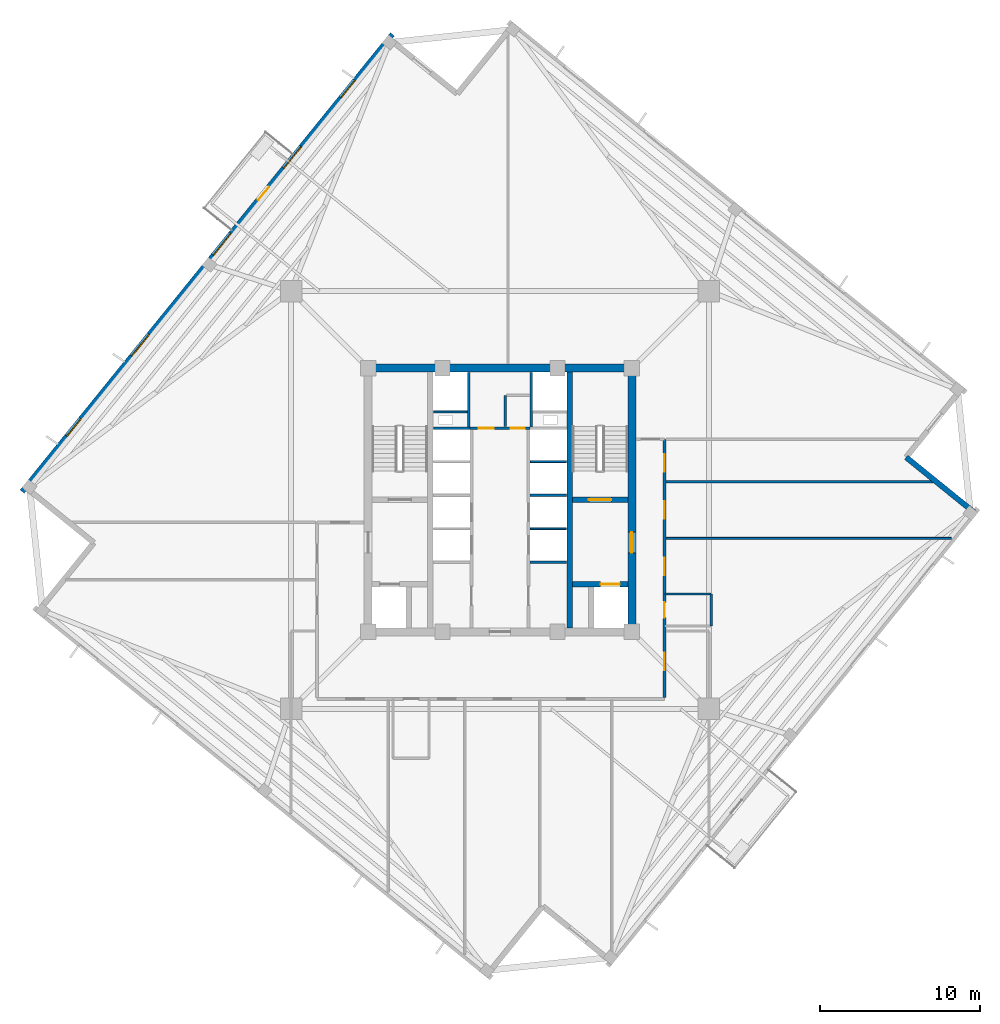
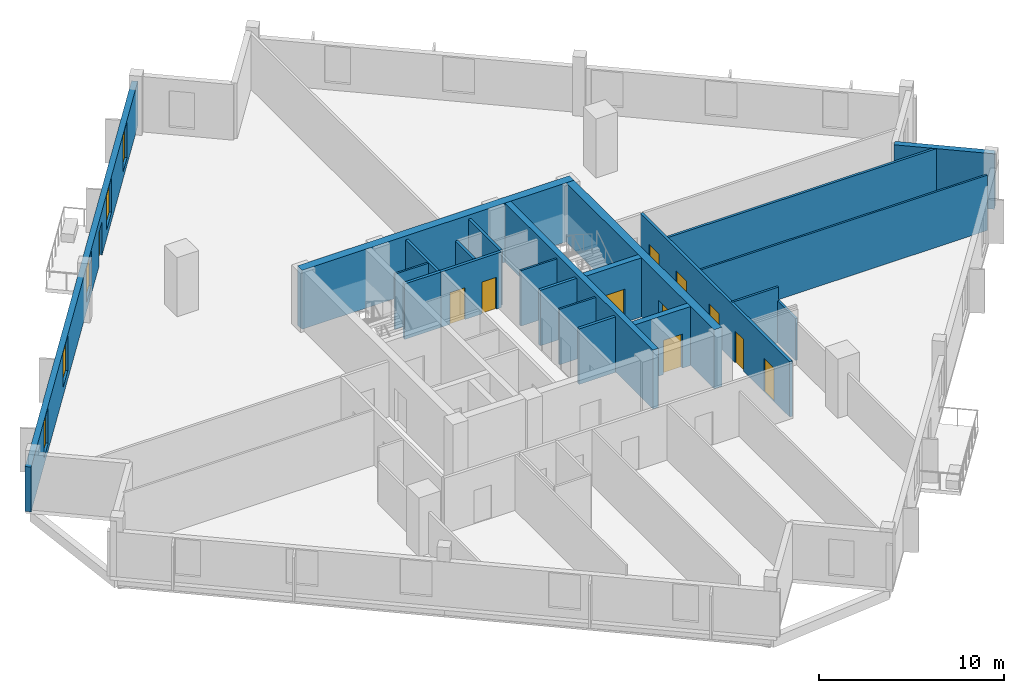
# One storey, part 4 of 9: 22 walls, 11 doors, 5 windows, 16 openings.
"""IFC4 building model written with IfcOpenShell, lengths in metres."""

from ifc_helpers import new_model, si_unit, direction, frame, frame_2d, origin, place, context, subcontext, project, spatial, rectangle, extrude, source, transform, mapped, material, layer, layer_set, type_object, element, fill, save


model = new_model("IFC4")

# Units and contexts
model_context = context("Model", 3, precision=1e-05, world=origin(), true_north=direction((0.0, 1.0)))
body_context = subcontext(model_context, "Body", "Model", "MODEL_VIEW")
ifc_project = project(units=[si_unit("LENGTHUNIT", "METRE"), si_unit("AREAUNIT", "SQUARE_METRE"), si_unit("VOLUMEUNIT", "CUBIC_METRE"), si_unit("PLANEANGLEUNIT", "RADIAN"), si_unit("MASSUNIT", "GRAM", prefix="KILO"), si_unit("THERMODYNAMICTEMPERATUREUNIT", "KELVIN")], contexts=[model_context])

# Site, building, storey
site_placement = place(None, origin())
site = spatial("IfcSite", under=ifc_project, at=site_placement, CompositionType="ELEMENT")
building_placement = place(site_placement, origin())
building = spatial("IfcBuilding", under=site, at=building_placement, Name="Kosmvard Interchange Tower", CompositionType="ELEMENT")
storey_placement = place(building_placement, frame((0.0, 0.0, 213.39990234375)))
storey = spatial("IfcBuildingStorey", under=building, at=storey_placement, Name="L51", CompositionType="ELEMENT", Elevation=213.39990234375)

# Walls
ifc_material_1 = material(Name="Acoustic gypsum partition system")
ifc_layer_1 = layer(ifc_material_1, 0.14990234375, Name="Acoustic gypsum partition system")
ifc_layer_set_1 = layer_set([ifc_layer_1], Name="Acoustic gypsum partition system")
wall_type_1 = type_object("IfcWallType", Name="Acoustic Suite & Meeting Partition 150", PredefinedType="PARTITIONING", material=ifc_layer_set_1)
wall_1_placement = place(storey_placement, frame((10.39501953125, 1.14990234375, 0.0), z_axis=(0.0, 0.0, 1.0), x_axis=(1.0, 0.0, 0.0)))
element("IfcWall", 1, at=wall_1_placement, inside=storey, type_object=wall_type_1, Name="L51 Room Partition 03.1", PredefinedType="PARTITIONING", context=body_context, shape_type="SweptSolid", body=[
    extrude(rectangle(XDim=16.747314453125, YDim=0.14990234375, at=frame_2d((8.37353515625, 0.0))), origin(), (0.0, 0.0, 1.0), 3.66015625),
])
ifc_material_2 = material(Name="Fire-rated gypsum partition system")
ifc_layer_2 = layer(ifc_material_2, 0.159912109375, Name="Fire-rated gypsum partition system")
ifc_layer_set_2 = layer_set([ifc_layer_2], Name="Fire-rated gypsum partition system")
wall_type_2 = type_object("IfcWallType", Name="Core Compartment & Shuttle Lobby Partition 160", PredefinedType="PARTITIONING", material=ifc_layer_set_2)
for number, where, z_axis, x_axis, name in (
    (2, (-1.9599609375, 4.580078125, 0.0), (0.0, 0.0, 1.0), (0.0, 1.0, 0.0), "L51 North Core West Wall"),
    (3, (1.9599609375, 4.580078125, 0.0), (0.0, 0.0, 1.0), (0.0, 1.0, 0.0), "L51 North Core East Wall"),
):
    element("IfcWall", number, at=place(storey_placement, frame(where, z_axis=z_axis, x_axis=x_axis)), inside=storey, type_object=wall_type_2, Name=name, PredefinedType="PARTITIONING", context=body_context, shape_type="SweptSolid", body=[
        extrude(rectangle(XDim=3.39990234375, YDim=0.159912109375, at=frame_2d((1.699951171875, 0.0))), origin(), (0.0, 0.0, 1.0), 3.66015625),
    ])
ifc_material_3 = material(Name="Concrete blockwork masonry", Category="masonry")
ifc_layer_3 = layer(ifc_material_3, 0.159912109375, Name="Concrete blockwork masonry")
ifc_layer_set_3 = layer_set([ifc_layer_3], Name="Concrete blockwork masonry")
wall_type_3 = type_object("IfcWallType", Name="Core Enclosure Split Wall 160", PredefinedType="PARTITIONING", material=ifc_layer_set_3)
wall_2_placement = place(storey_placement, frame((0.320068359375, 4.60009765625, 0.0), z_axis=(0.0, 0.0, 1.0), x_axis=(0.0, 1.0, 0.0)))
element("IfcWall", 4, at=wall_2_placement, inside=storey, type_object=wall_type_3, Name="L51 Core K3 L-Wall 1", PredefinedType="PARTITIONING", context=body_context, shape_type="SweptSolid", body=[
    extrude(rectangle(XDim=1.949951171875, YDim=0.159912109375, at=frame_2d((0.97509765625, 0.0))), origin(), (0.0, 0.0, 1.0), 3.66015625),
])

# Wall, openings, doors
ifc_layer_4 = layer(ifc_material_2, 0.179931640625, Name="Fire-rated gypsum partition system")
ifc_layer_set_4 = layer_set([ifc_layer_4], Name="Fire-rated gypsum partition system")
wall_type_4 = type_object("IfcWallType", Name="Corridor & Hotel Compartment Partition 180", PredefinedType="PARTITIONING", material=ifc_layer_set_4)
wall_3_placement = place(storey_placement, frame((-1.8798828125, 4.489990234375, 0.0), z_axis=(0.0, 0.0, 1.0), x_axis=(1.0, 0.0, 0.0)))
wall_3 = element("IfcWall", 5, at=wall_3_placement, inside=storey, type_object=wall_type_4, Name="L51 Lift Lobby North Partition", PredefinedType="PARTITIONING", context=body_context, shape_type="SweptSolid", body=[
    extrude(rectangle(XDim=3.759765625, YDim=0.179931640625, at=frame_2d((1.8798828125, 0.0))), origin(), (0.0, 0.0, 1.0), 3.66015625),
])
opening_1_placement = place(wall_3_placement, frame((0.550048828125, 0.0, 0.0)))
opening_1 = element("IfcOpeningElement", 6, at=opening_1_placement, cuts=wall_3, Name="Opening L51-KD1", PredefinedType="OPENING", context=body_context, shape_type="SweptSolid", body=[
    extrude(rectangle(XDim=0.949951171875, YDim=2.10009765625, at=frame_2d((0.47509765625, 1.050048828125))), frame((0.0, 0.10009765625, 0.0), z_axis=(0.0, -1.0, 0.0), x_axis=(1.0, 0.0, 0.0)), (0.0, 0.0, 1.0), 0.199951171875),
])
opening_2_placement = place(wall_3_placement, frame((2.56005859375, 0.0, 0.0)))
opening_2 = element("IfcOpeningElement", 7, at=opening_2_placement, cuts=wall_3, Name="Opening L51-KD2", PredefinedType="OPENING", context=body_context, shape_type="SweptSolid", body=[
    extrude(rectangle(XDim=0.8798828125, YDim=2.10009765625, at=frame_2d((0.43994140625, 1.050048828125))), frame((0.0, 0.10009765625, 0.0), z_axis=(0.0, -1.0, 0.0), x_axis=(1.0, 0.0, 0.0)), (0.0, 0.0, 1.0), 0.199951171875),
])
ifc_material_4 = material(Name="Painted fire-rated timber leaf", Category="wood")
door_type_1 = type_object("IfcDoorType", Name="Core Service Fire Door 950x2100 EI30", OperationType="NOTDEFINED", PredefinedType="DOOR", material=ifc_material_4)
shared_shape_1 = source(origin(), body_context, "Body", "SweptSolid", [
    extrude(rectangle(XDim=0.949951171875, YDim=2.10009765625, at=frame_2d((0.47509765625, 1.050048828125))), frame((0.0, 0.02490234375, 0.0), z_axis=(0.0, -1.0, 0.0), x_axis=(1.0, 0.0, 0.0)), (0.0, 0.0, 1.0), 0.050048828125),
])
door_1_placement = place(opening_1_placement, origin())
door_1 = element("IfcDoor", 8, at=door_1_placement, inside=storey, type_object=door_type_1, Name="L51 Core Archive Store Door", OperationType="SINGLE_SWING_LEFT", OverallHeight=2.10009765625, OverallWidth=0.949951171875, PredefinedType="DOOR", context=body_context, shape_type="MappedRepresentation", body=[
    mapped(shared_shape_1, transform((0.0, 0.0, 0.0), scale=1.0)),
])
fill(opening_1, door_1)
door_type_2 = type_object("IfcDoorType", Name="Core Cupboard Fire Door 880x2100 EI30", OperationType="NOTDEFINED", PredefinedType="DOOR", material=ifc_material_4)
shared_shape_2 = source(origin(), body_context, "Body", "SweptSolid", [
    extrude(rectangle(XDim=0.8798828125, YDim=2.10009765625, at=frame_2d((0.43994140625, 1.050048828125))), frame((0.0, 0.02490234375, 0.0), z_axis=(0.0, -1.0, 0.0), x_axis=(1.0, 0.0, 0.0)), (0.0, 0.0, 1.0), 0.050048828125),
])
door_2_placement = place(opening_2_placement, origin())
door_2 = element("IfcDoor", 9, at=door_2_placement, inside=storey, type_object=door_type_2, Name="L51 Core Supplies Cupboard Door", OperationType="SINGLE_SWING_RIGHT", OverallHeight=2.10009765625, OverallWidth=0.8798828125, PredefinedType="DOOR", context=body_context, shape_type="MappedRepresentation", body=[
    mapped(shared_shape_2, transform((0.0, 0.0, 0.0), scale=1.0)),
])
fill(opening_2, door_2)

wall_4_placement = place(storey_placement, frame((10.300048828125, -12.35009765625, 0.0), z_axis=(0.0, 0.0, 1.0), x_axis=(0.0, 1.0, 0.0)))
wall_4 = element("IfcWall", 10, at=wall_4_placement, inside=storey, type_object=wall_type_4, Name="L51 Corridor Wall CE", PredefinedType="PARTITIONING", context=body_context, shape_type="SweptSolid", body=[
    extrude(rectangle(XDim=16.150146484375, YDim=0.179931640625, at=frame_2d((8.0751953125, 0.0))), origin(), (0.0, 0.0, 1.0), 3.66015625),
])
opening_3_placement = place(wall_4_placement, frame((4.986083984375, 0.0, 0.0)))
opening_3 = element("IfcOpeningElement", 11, at=opening_3_placement, cuts=wall_4, Name="Opening L51-D01", PredefinedType="OPENING", context=body_context, shape_type="SweptSolid", body=[
    extrude(rectangle(XDim=0.949951171875, YDim=2.10009765625, at=frame_2d((0.47509765625, 1.050048828125))), frame((0.0, 0.10009765625, 0.0), z_axis=(0.0, -1.0, 0.0), x_axis=(1.0, 0.0, 0.0)), (0.0, 0.0, 1.0), 0.199951171875),
])
opening_4_placement = place(wall_4_placement, frame((14.110595703125, 0.0, 0.0)))
opening_4 = element("IfcOpeningElement", 12, at=opening_4_placement, cuts=wall_4, Name="Opening L51-D05", PredefinedType="OPENING", context=body_context, shape_type="SweptSolid", body=[
    extrude(rectangle(XDim=1.10009765625, YDim=2.199951171875, at=frame_2d((0.550048828125, 1.10009765625))), frame((0.0, 0.10009765625, 0.0), z_axis=(0.0, -1.0, 0.0), x_axis=(1.0, 0.0, 0.0)), (0.0, 0.0, 1.0), 0.199951171875),
])
opening_5_placement = place(wall_4_placement, frame((1.689453125, 0.0, 0.0)))
opening_5 = element("IfcOpeningElement", 13, at=opening_5_placement, cuts=wall_4, Name="Opening L51-D12", PredefinedType="OPENING", context=body_context, shape_type="SweptSolid", body=[
    extrude(rectangle(XDim=1.10009765625, YDim=2.199951171875, at=frame_2d((0.550048828125, 1.10009765625))), frame((0.0, 0.10009765625, 0.0), z_axis=(0.0, -1.0, 0.0), x_axis=(1.0, 0.0, 0.0)), (0.0, 0.0, 1.0), 0.199951171875),
])
opening_6_placement = place(wall_4_placement, frame((7.649658203125, 0.0, 0.0)))
opening_6 = element("IfcOpeningElement", 14, at=opening_6_placement, cuts=wall_4, Name="Opening L51-D13", PredefinedType="OPENING", context=body_context, shape_type="SweptSolid", body=[
    extrude(rectangle(XDim=1.10009765625, YDim=2.199951171875, at=frame_2d((0.550048828125, 1.10009765625))), frame((0.0, 0.10009765625, 0.0), z_axis=(0.0, -1.0, 0.0), x_axis=(1.0, 0.0, 0.0)), (0.0, 0.0, 1.0), 0.199951171875),
])
opening_7_placement = place(wall_4_placement, frame((11.175048828125, 0.0, 0.0)))
opening_7 = element("IfcOpeningElement", 15, at=opening_7_placement, cuts=wall_4, Name="Opening L51-D14", PredefinedType="OPENING", context=body_context, shape_type="SweptSolid", body=[
    extrude(rectangle(XDim=1.10009765625, YDim=2.199951171875, at=frame_2d((0.550048828125, 1.10009765625))), frame((0.0, 0.10009765625, 0.0), z_axis=(0.0, -1.0, 0.0), x_axis=(1.0, 0.0, 0.0)), (0.0, 0.0, 1.0), 0.199951171875),
])
ifc_material_5 = material(Name="Laminated moisture-resistant timber", Category="wood")
door_type_3 = type_object("IfcDoorType", Name="Accessible Washroom Door 950x2100", OperationType="NOTDEFINED", PredefinedType="DOOR", material=ifc_material_5)
door_3_placement = place(opening_3_placement, frame((0.949951171875, 0.0, 0.0), z_axis=(0.0, 0.0, 1.0), x_axis=(-1.0, 0.0, 0.0)))
door_3 = element("IfcDoor", 16, at=door_3_placement, inside=storey, type_object=door_type_3, Name="L51 Accessible Toilet Door", OperationType="SINGLE_SWING_LEFT", OverallHeight=2.10009765625, OverallWidth=0.949951171875, PredefinedType="DOOR", context=body_context, shape_type="MappedRepresentation", body=[
    mapped(shared_shape_1, transform((0.0, 0.0, 0.0), scale=1.0)),
])
fill(opening_3, door_3)
ifc_material_6 = material(Name="Engineered oak fire-rated timber", Category="wood")
door_type_4 = type_object("IfcDoorType", Name="Office Suite Entrance Door 1100x2200 FD30S", OperationType="NOTDEFINED", PredefinedType="DOOR", material=ifc_material_6)
shared_shape_3 = source(origin(), body_context, "Body", "SweptSolid", [
    extrude(rectangle(XDim=1.10009765625, YDim=2.199951171875, at=frame_2d((0.550048828125, 1.10009765625))), frame((0.0, 0.02490234375, 0.0), z_axis=(0.0, -1.0, 0.0), x_axis=(1.0, 0.0, 0.0)), (0.0, 0.0, 1.0), 0.050048828125),
])
door_4_placement = place(opening_4_placement, frame((1.10009765625, 0.0, 0.0), z_axis=(0.0, 0.0, 1.0), x_axis=(-1.0, 0.0, 0.0)))
door_4 = element("IfcDoor", 17, at=door_4_placement, inside=storey, type_object=door_type_4, Name="L51 Chancery Briefing Room 1 Door", OperationType="SINGLE_SWING_LEFT", OverallHeight=2.199951171875, OverallWidth=1.10009765625, PredefinedType="DOOR", context=body_context, shape_type="MappedRepresentation", body=[
    mapped(shared_shape_3, transform((0.0, 0.0, 0.0), scale=1.0)),
])
fill(opening_4, door_4)
door_5_placement = place(opening_5_placement, frame((1.10009765625, 0.0, 0.0), z_axis=(0.0, 0.0, 1.0), x_axis=(-1.0, 0.0, 0.0)))
door_5 = element("IfcDoor", 18, at=door_5_placement, inside=storey, type_object=door_type_4, Name="L51 Partner Office 1 Door", OperationType="SINGLE_SWING_RIGHT", OverallHeight=2.199951171875, OverallWidth=1.10009765625, PredefinedType="DOOR", context=body_context, shape_type="MappedRepresentation", body=[
    mapped(shared_shape_3, transform((0.0, 0.0, 0.0), scale=1.0)),
])
fill(opening_5, door_5)
door_6_placement = place(opening_6_placement, frame((1.10009765625, 0.0, 0.0), z_axis=(0.0, 0.0, 1.0), x_axis=(-1.0, 0.0, 0.0)))
door_6 = element("IfcDoor", 19, at=door_6_placement, inside=storey, type_object=door_type_4, Name="L51 Senior Counsel Office 2 Door", OperationType="SINGLE_SWING_LEFT", OverallHeight=2.199951171875, OverallWidth=1.10009765625, PredefinedType="DOOR", context=body_context, shape_type="MappedRepresentation", body=[
    mapped(shared_shape_3, transform((0.0, 0.0, 0.0), scale=1.0)),
])
fill(opening_6, door_6)
door_7_placement = place(opening_7_placement, frame((1.10009765625, 0.0, 0.0), z_axis=(0.0, 0.0, 1.0), x_axis=(-1.0, 0.0, 0.0)))
door_7 = element("IfcDoor", 20, at=door_7_placement, inside=storey, type_object=door_type_4, Name="L51 Managing Partner Office 3 Door", OperationType="SINGLE_SWING_RIGHT", OverallHeight=2.199951171875, OverallWidth=1.10009765625, PredefinedType="DOOR", context=body_context, shape_type="MappedRepresentation", body=[
    mapped(shared_shape_3, transform((0.0, 0.0, 0.0), scale=1.0)),
])
fill(opening_7, door_7)

# Wall
ifc_material_7 = material(Name="Precast concrete C45/55", Category="concrete")
ifc_layer_5 = layer(ifc_material_7, 0.340087890625, Name="Precast concrete C45/55")
ifc_layer_set_5 = layer_set([ifc_layer_5], Name="Precast concrete C45/55")
wall_type_5 = type_object("IfcWallType", Name="Mid Tower Precast Pier Wall 340 C45/55", PredefinedType="STANDARD", material=ifc_layer_set_5)
wall_5_placement = place(storey_placement, frame((29.703125, -0.78857421875, 0.0), z_axis=(0.0, 0.0, 1.0), x_axis=(-0.77714355312, 0.629323365087, 0.0)))
element("IfcWall", 21, at=wall_5_placement, inside=storey, type_object=wall_type_5, Name="L51 Precast Facade Wall N-SE1", PredefinedType="STANDARD", context=body_context, shape_type="SweptSolid", body=[
    extrude(rectangle(XDim=5.499755859375, YDim=0.340087890625, at=frame_2d((2.75, 0.0))), origin(), (0.0, 0.0, 1.0), 3.66015625),
])

# Wall, openings, door, windows
wall_6_placement = place(storey_placement, frame((-6.73291015625, 29.154296875, 0.0), z_axis=(0.0, 0.0, 1.0), x_axis=(-0.629325378072, -0.77714192302, 0.0)))
wall_6 = element("IfcWall", 22, at=wall_6_placement, inside=storey, type_object=wall_type_5, Name="L51 Precast Facade Wall F-N", PredefinedType="STANDARD", context=body_context, shape_type="SweptSolid", body=[
    extrude(rectangle(XDim=36.840087890625, YDim=0.340087890625, at=frame_2d((18.419921875, 0.0))), origin(), (0.0, 0.0, 1.0), 2.960205078125),
])
opening_8_placement = place(wall_6_placement, frame((12.294921875, 0.0, 0.0)))
opening_8 = element("IfcOpeningElement", 23, at=opening_8_placement, cuts=wall_6, Name="Opening L51-BDN", PredefinedType="OPENING", context=body_context, shape_type="SweptSolid", body=[
    extrude(rectangle(XDim=1.050048828125, YDim=2.25, at=frame_2d((0.52490234375, 1.125))), frame((0.0, 0.18017578125, 0.0), z_axis=(0.0, -1.0, 0.0), x_axis=(1.0, 0.0, 0.0)), (0.0, 0.0, 1.0), 0.360107421875),
])
opening_9_placement = place(wall_6_placement, frame((3.720703125, 0.0, 0.47998046875)))
opening_9 = element("IfcOpeningElement", 24, at=opening_9_placement, cuts=wall_6, Name="Opening L51-W11", PredefinedType="OPENING", context=body_context, shape_type="SweptSolid", body=[
    extrude(rectangle(XDim=1.39990234375, YDim=2.39990234375, at=frame_2d((0.699951171875, 1.199951171875))), frame((0.0, 0.18017578125, 0.0), z_axis=(0.0, -1.0, 0.0), x_axis=(1.0, 0.0, 0.0)), (0.0, 0.0, 1.0), 0.360107421875),
])
opening_10_placement = place(wall_6_placement, frame((9.05859375, 0.0, 0.580078125)))
opening_10 = element("IfcOpeningElement", 25, at=opening_10_placement, cuts=wall_6, Name="Opening L51-W12", PredefinedType="OPENING", context=body_context, shape_type="SweptSolid", body=[
    extrude(rectangle(XDim=1.75, YDim=2.300048828125, at=frame_2d((0.875, 1.14990234375))), frame((0.0, 0.18017578125, 0.0), z_axis=(0.0, -1.0, 0.0), x_axis=(1.0, 0.0, 0.0)), (0.0, 0.0, 1.0), 0.360107421875),
])
opening_11_placement = place(wall_6_placement, frame((16.05810546875, 0.0, 0.580078125)))
opening_11 = element("IfcOpeningElement", 26, at=opening_11_placement, cuts=wall_6, Name="Opening L51-W13", PredefinedType="OPENING", context=body_context, shape_type="SweptSolid", body=[
    extrude(rectangle(XDim=1.75, YDim=2.300048828125, at=frame_2d((0.875, 1.14990234375))), frame((0.0, 0.18017578125, 0.0), z_axis=(0.0, -1.0, 0.0), x_axis=(1.0, 0.0, 0.0)), (0.0, 0.0, 1.0), 0.360107421875),
])
opening_12_placement = place(wall_6_placement, frame((24.17626953125, 0.0, 0.580078125)))
opening_12 = element("IfcOpeningElement", 27, at=opening_12_placement, cuts=wall_6, Name="Opening L51-W14", PredefinedType="OPENING", context=body_context, shape_type="SweptSolid", body=[
    extrude(rectangle(XDim=1.75, YDim=2.300048828125, at=frame_2d((0.875, 1.14990234375))), frame((0.0, 0.18017578125, 0.0), z_axis=(0.0, -1.0, 0.0), x_axis=(1.0, 0.0, 0.0)), (0.0, 0.0, 1.0), 0.360107421875),
])
opening_13_placement = place(wall_6_placement, frame((30.982421875, 0.0, 0.47998046875)))
opening_13 = element("IfcOpeningElement", 28, at=opening_13_placement, cuts=wall_6, Name="Opening L51-W15", PredefinedType="OPENING", context=body_context, shape_type="SweptSolid", body=[
    extrude(rectangle(XDim=1.39990234375, YDim=2.39990234375, at=frame_2d((0.699951171875, 1.199951171875))), frame((0.0, 0.18017578125, 0.0), z_axis=(0.0, -1.0, 0.0), x_axis=(1.0, 0.0, 0.0)), (0.0, 0.0, 1.0), 0.360107421875),
])
ifc_material_8 = material(Name="Anodised aluminium and safety glass", Category="aluminium")
door_type_5 = type_object("IfcDoorType", Name="Tree-Balcony Glazed Door 1050x2250", OperationType="NOTDEFINED", PredefinedType="DOOR", material=ifc_material_8)
shared_shape_4 = source(origin(), body_context, "Body", "SweptSolid", [
    extrude(rectangle(XDim=1.050048828125, YDim=2.25, at=frame_2d((0.52490234375, 1.125))), frame((0.0, 0.02490234375, 0.0), z_axis=(0.0, -1.0, 0.0), x_axis=(1.0, 0.0, 0.0)), (0.0, 0.0, 1.0), 0.050048828125),
])
door_8_placement = place(opening_8_placement, origin())
door_8 = element("IfcDoor", 29, at=door_8_placement, inside=storey, type_object=door_type_5, Name="L51 Tree-Balcony Door BAL-L51-N", OperationType="SINGLE_SWING_RIGHT", OverallHeight=2.25, OverallWidth=1.050048828125, PredefinedType="DOOR", context=body_context, shape_type="MappedRepresentation", body=[
    mapped(shared_shape_4, transform((0.0, 0.0, 0.0), scale=1.0)),
])
fill(opening_8, door_8)
ifc_material_9 = material(Name="Low-E solar-control double glazing", Category="glass")
window_type_1 = type_object("IfcWindowType", Name="Notched Corner Feature Window 1400x2400", PartitioningType="SINGLE_PANEL", PredefinedType="WINDOW", material=ifc_material_9)
shared_shape_5 = source(origin(), body_context, "Body", "SweptSolid", [
    extrude(rectangle(XDim=1.39990234375, YDim=2.39990234375, at=frame_2d((0.699951171875, 1.199951171875))), frame((0.0, 0.030029296875, 0.0), z_axis=(0.0, -1.0, 0.0), x_axis=(1.0, 0.0, 0.0)), (0.0, 0.0, 1.0), 0.06005859375),
])
window_1_placement = place(opening_9_placement, origin())
window_1 = element("IfcWindow", 30, at=window_1_placement, inside=storey, type_object=window_type_1, Name="L51 Facade Punched Window 11", OverallHeight=2.39990234375, OverallWidth=1.39990234375, PartitioningType="SINGLE_PANEL", PredefinedType="WINDOW", context=body_context, shape_type="MappedRepresentation", body=[
    mapped(shared_shape_5, transform((0.0, 0.0, 0.0), scale=1.0)),
])
fill(opening_9, window_1)
window_2_placement = place(opening_13_placement, origin())
window_2 = element("IfcWindow", 31, at=window_2_placement, inside=storey, type_object=window_type_1, Name="L51 Facade Punched Window 15", OverallHeight=2.39990234375, OverallWidth=1.39990234375, PartitioningType="SINGLE_PANEL", PredefinedType="WINDOW", context=body_context, shape_type="MappedRepresentation", body=[
    mapped(shared_shape_5, transform((0.0, 0.0, 0.0), scale=1.0)),
])
fill(opening_13, window_2)
window_type_2 = type_object("IfcWindowType", Name="Zone 4 Suite Punched Window 1750x2300", PartitioningType="SINGLE_PANEL", PredefinedType="WINDOW", material=ifc_material_9)
shared_shape_6 = source(origin(), body_context, "Body", "SweptSolid", [
    extrude(rectangle(XDim=1.75, YDim=2.300048828125, at=frame_2d((0.875, 1.14990234375))), frame((0.0, 0.030029296875, 0.0), z_axis=(0.0, -1.0, 0.0), x_axis=(1.0, 0.0, 0.0)), (0.0, 0.0, 1.0), 0.06005859375),
])
window_3_placement = place(opening_10_placement, origin())
window_3 = element("IfcWindow", 32, at=window_3_placement, inside=storey, type_object=window_type_2, Name="L51 Facade Punched Window 12", OverallHeight=2.300048828125, OverallWidth=1.75, PartitioningType="SINGLE_PANEL", PredefinedType="WINDOW", context=body_context, shape_type="MappedRepresentation", body=[
    mapped(shared_shape_6, transform((0.0, 0.0, 0.0), scale=1.0)),
])
fill(opening_10, window_3)
window_4_placement = place(opening_11_placement, origin())
window_4 = element("IfcWindow", 33, at=window_4_placement, inside=storey, type_object=window_type_2, Name="L51 Facade Punched Window 13", OverallHeight=2.300048828125, OverallWidth=1.75, PartitioningType="SINGLE_PANEL", PredefinedType="WINDOW", context=body_context, shape_type="MappedRepresentation", body=[
    mapped(shared_shape_6, transform((0.0, 0.0, 0.0), scale=1.0)),
])
fill(opening_11, window_4)
window_5_placement = place(opening_12_placement, origin())
window_5 = element("IfcWindow", 34, at=window_5_placement, inside=storey, type_object=window_type_2, Name="L51 Facade Punched Window 14", OverallHeight=2.300048828125, OverallWidth=1.75, PartitioningType="SINGLE_PANEL", PredefinedType="WINDOW", context=body_context, shape_type="MappedRepresentation", body=[
    mapped(shared_shape_6, transform((0.0, 0.0, 0.0), scale=1.0)),
])
fill(opening_12, window_5)

# Walls
ifc_material_10 = material(Name="Gypsum board partition system")
ifc_layer_6 = layer(ifc_material_10, 0.1201171875, Name="Gypsum board partition system")
ifc_layer_set_6 = layer_set([ifc_layer_6], Name="Gypsum board partition system")
wall_type_6 = type_object("IfcWallType", Name="Office Cellular Partition 120", PredefinedType="PARTITIONING", material=ifc_layer_set_6)
wall_7_placement = place(storey_placement, frame((10.39501953125, -2.39990234375, 0.0), z_axis=(0.0, 0.0, 1.0), x_axis=(1.0, 0.0, 0.0)))
element("IfcWall", 35, at=wall_7_placement, inside=storey, type_object=wall_type_6, Name="L51 Room Partition 14.1", PredefinedType="PARTITIONING", context=body_context, shape_type="SweptSolid", body=[
    extrude(rectangle(XDim=17.8681640625, YDim=0.1201171875, at=frame_2d((8.93408203125, 0.0))), origin(), (0.0, 0.0, 1.0), 3.66015625),
])
ifc_layer_7 = layer(ifc_material_3, 0.179931640625, Name="Concrete blockwork masonry")
ifc_layer_set_7 = layer_set([ifc_layer_7], Name="Concrete blockwork masonry")
wall_type_7 = type_object("IfcWallType", Name="Riser & Lift Bank Divider Wall 180", PredefinedType="PARTITIONING", material=ifc_layer_set_7)
for number, where, z_axis, x_axis, name in (
    (36, (1.889892578125, -3.89990234375, 0.0), (0.0, 0.0, 1.0), (1.0, 0.0, 0.0), "L51 East Bank Divider BD1"),
    (37, (1.889892578125, 0.300048828125, 0.0), (0.0, 0.0, 1.0), (1.0, 0.0, 0.0), "L51 East Bank Divider BD2"),
    (38, (-4.169921875, 4.489990234375, 0.0), (0.0, 0.0, 1.0), (1.0, 0.0, 0.0), "L51 West Bank Divider BD3"),
):
    element("IfcWall", number, at=place(storey_placement, frame(where, z_axis=z_axis, x_axis=x_axis)), inside=storey, type_object=wall_type_7, Name=name, PredefinedType="PARTITIONING", context=body_context, shape_type="SweptSolid", body=[
        extrude(rectangle(XDim=2.280029296875, YDim=0.179931640625, at=frame_2d((1.14013671875, 0.0))), origin(), (0.0, 0.0, 1.0), 3.66015625),
    ])
ifc_material_11 = material(Name="Fire-rated gypsum shaftwall system")
ifc_layer_8 = layer(ifc_material_11, 0.1201171875, Name="Fire-rated gypsum shaftwall system")
ifc_layer_set_8 = layer_set([ifc_layer_8], Name="Fire-rated gypsum shaftwall system")
wall_type_8 = type_object("IfcWallType", Name="Shaft & Riser Fire Partition 120 EI60", PredefinedType="PARTITIONING", material=ifc_layer_set_8)
for number, where, z_axis, x_axis, name in (
    (39, (1.89990234375, -1.800048828125, 0.0), (0.0, 0.0, 1.0), (1.0, 0.0, 0.0), "L51 Shaft Divider PL-M3"),
    (40, (1.89990234375, 2.39990234375, 0.0), (0.0, 0.0, 1.0), (1.0, 0.0, 0.0), "L51 Shaft Divider PL-H3"),
):
    element("IfcWall", number, at=place(storey_placement, frame(where, z_axis=z_axis, x_axis=x_axis)), inside=storey, type_object=wall_type_8, Name=name, PredefinedType="PARTITIONING", context=body_context, shape_type="SweptSolid", body=[
        extrude(rectangle(XDim=2.260009765625, YDim=0.1201171875, at=frame_2d((1.1298828125, 0.0))), origin(), (0.0, 0.0, 1.0), 3.66015625),
    ])
wall_8_placement = place(storey_placement, frame((-4.159912109375, 5.52001953125, 0.0), z_axis=(0.0, 0.0, 1.0), x_axis=(1.0, 0.0, 0.0)))
element("IfcWall", 41, at=wall_8_placement, inside=storey, type_object=wall_type_8, Name="L51 Riser Shaft Divider W", PredefinedType="PARTITIONING", context=body_context, shape_type="SweptSolid", body=[
    extrude(rectangle(XDim=2.099853515625, YDim=0.1201171875, at=frame_2d((1.0498046875, 0.0))), origin(), (0.0, 0.0, 1.0), 3.66015625),
])
ifc_material_12 = material(Name="Concrete C60/75", Category="concrete")
ifc_layer_9 = layer(ifc_material_12, 0.360107421875, Name="Concrete C60/75")
ifc_layer_set_9 = layer_set([ifc_layer_9], Name="Concrete C60/75")
wall_type_9 = type_object("IfcWallType", Name="Stair & Lift Shaft Shear Wall 360 C60/75", PredefinedType="SHEAR", material=ifc_layer_set_9)
wall_9_placement = place(storey_placement, frame((4.360107421875, -8.0, 0.0), z_axis=(0.0, 0.0, 1.0), x_axis=(0.0, 1.0, 0.0)))
element("IfcWall", 42, at=wall_9_placement, inside=storey, type_object=wall_type_9, Name="L51 Shaft Shear Wall SW-E", PredefinedType="SHEAR", context=body_context, shape_type="SweptSolid", body=[
    extrude(rectangle(XDim=16.0, YDim=0.360107421875, at=frame_2d((8.0, 0.0))), origin(), (0.0, 0.0, 1.0), 3.900146484375),
])

# Wall, opening, door
wall_10_placement = place(storey_placement, frame((4.5400390625, 0.02001953125, 0.0), z_axis=(0.0, 0.0, 1.0), x_axis=(1.0, 0.0, 0.0)))
wall_10 = element("IfcWall", 43, at=wall_10_placement, inside=storey, type_object=wall_type_9, Name="L51 Shaft Shear Wall SW-ST2", PredefinedType="SHEAR", context=body_context, shape_type="SweptSolid", body=[
    extrude(rectangle(XDim=3.4599609375, YDim=0.360107421875, at=frame_2d((1.72998046875, 0.0))), origin(), (0.0, 0.0, 1.0), 3.900146484375),
])
opening_14_placement = place(wall_10_placement, frame((1.030029296875, 0.0, 0.0)))
opening_14 = element("IfcOpeningElement", 44, at=opening_14_placement, cuts=wall_10, Name="Opening L51-SD2", PredefinedType="OPENING", context=body_context, shape_type="SweptSolid", body=[
    extrude(rectangle(XDim=1.39990234375, YDim=2.199951171875, at=frame_2d((0.699951171875, 1.10009765625))), frame((0.0, 0.18994140625, 0.0), z_axis=(0.0, -1.0, 0.0), x_axis=(1.0, 0.0, 0.0)), (0.0, 0.0, 1.0), 0.380126953125),
])
ifc_material_13 = material(Name="Painted fire-rated steel leaf", Category="steel")
door_type_6 = type_object("IfcDoorType", Name="Protected Stair Door 1400x2200 FD60S", OperationType="NOTDEFINED", PredefinedType="DOOR", material=ifc_material_13)
shared_shape_7 = source(origin(), body_context, "Body", "SweptSolid", [
    extrude(rectangle(XDim=1.39990234375, YDim=2.199951171875, at=frame_2d((0.699951171875, 1.10009765625))), frame((0.0, 0.02490234375, 0.0), z_axis=(0.0, -1.0, 0.0), x_axis=(1.0, 0.0, 0.0)), (0.0, 0.0, 1.0), 0.050048828125),
])
door_9_placement = place(opening_14_placement, origin())
door_9 = element("IfcDoor", 45, at=door_9_placement, inside=storey, type_object=door_type_6, Name="L51 Stair ST-2 Enclosure Door", OperationType="SINGLE_SWING_RIGHT", OverallHeight=2.199951171875, OverallWidth=1.39990234375, PredefinedType="DOOR", context=body_context, shape_type="MappedRepresentation", body=[
    mapped(shared_shape_7, transform((0.0, 0.0, 0.0), scale=1.0)),
])
fill(opening_14, door_9)

wall_11_placement = place(storey_placement, frame((4.5400390625, -5.280029296875, 0.0), z_axis=(0.0, 0.0, 1.0), x_axis=(1.0, 0.0, 0.0)))
wall_11 = element("IfcWall", 46, at=wall_11_placement, inside=storey, type_object=wall_type_9, Name="L51 Shaft Shear Wall SW-FF2", PredefinedType="SHEAR", context=body_context, shape_type="SweptSolid", body=[
    extrude(rectangle(XDim=3.4599609375, YDim=0.360107421875, at=frame_2d((1.72998046875, 0.0))), origin(), (0.0, 0.0, 1.0), 3.900146484375),
])
opening_15_placement = place(wall_11_placement, frame((1.760009765625, 0.0, 0.0)))
opening_15 = element("IfcOpeningElement", 47, at=opening_15_placement, cuts=wall_11, Name="Opening LD-FF-2-L51", PredefinedType="OPENING", context=body_context, shape_type="SweptSolid", body=[
    extrude(rectangle(XDim=1.199951171875, YDim=2.25, at=frame_2d((0.60009765625, 1.125))), frame((0.0, 0.18994140625, 0.0), z_axis=(0.0, -1.0, 0.0), x_axis=(1.0, 0.0, 0.0)), (0.0, 0.0, 1.0), 0.380126953125),
])
ifc_material_14 = material(Name="Brushed stainless steel sliding leaf", Category="steel")
door_type_7 = type_object("IfcDoorType", Name="Firefighting Lift Sliding Landing Door 1200x2250 EI120", OperationType="DOUBLE_DOOR_SLIDING", PredefinedType="DOOR", material=ifc_material_14)
shared_shape_8 = source(origin(), body_context, "Body", "SweptSolid", [
    extrude(rectangle(XDim=1.199951171875, YDim=2.25, at=frame_2d((0.60009765625, 1.125))), frame((0.0, 0.02490234375, 0.0), z_axis=(0.0, -1.0, 0.0), x_axis=(1.0, 0.0, 0.0)), (0.0, 0.0, 1.0), 0.050048828125),
])
door_10_placement = place(opening_15_placement, origin())
door_10 = element("IfcDoor", 48, at=door_10_placement, inside=storey, type_object=door_type_7, Name="Lift FF-2 Landing Door L51", OperationType="DOUBLE_DOOR_SLIDING", OverallHeight=2.25, OverallWidth=1.199951171875, PredefinedType="DOOR", context=body_context, shape_type="MappedRepresentation", body=[
    mapped(shared_shape_8, transform((0.0, 0.0, 0.0), scale=1.0)),
])
fill(opening_15, door_10)

# Wall
ifc_layer_10 = layer(ifc_material_12, 0.5, Name="Concrete C60/75")
ifc_layer_set_10 = layer_set([ifc_layer_10], Name="Concrete C60/75")
wall_type_10 = type_object("IfcWallType", Name="Upper Core Shear Wall 500 C60/75", PredefinedType="SHEAR", material=ifc_layer_set_10)
wall_12_placement = place(storey_placement, frame((-8.5, 8.25, 0.0), z_axis=(0.0, 0.0, 1.0), x_axis=(1.0, 0.0, 0.0)))
element("IfcWall", 49, at=wall_12_placement, inside=storey, type_object=wall_type_10, Name="L51 Core Shear Wall CW-N", PredefinedType="SHEAR", context=body_context, shape_type="SweptSolid", body=[
    extrude(rectangle(XDim=17.0, YDim=0.5, at=frame_2d((8.5, 0.0))), origin(), (0.0, 0.0, 1.0), 3.900146484375),
])

# Wall, opening, door
wall_13_placement = place(storey_placement, frame((8.25, -8.0, 0.0), z_axis=(0.0, 0.0, 1.0), x_axis=(0.0, 1.0, 0.0)))
wall_13 = element("IfcWall", 50, at=wall_13_placement, inside=storey, type_object=wall_type_10, Name="L51 Core Shear Wall CW-E", PredefinedType="SHEAR", context=body_context, shape_type="SweptSolid", body=[
    extrude(rectangle(XDim=16.0, YDim=0.5, at=frame_2d((8.0, 0.0))), origin(), (0.0, 0.0, 1.0), 3.900146484375),
])
opening_16_placement = place(wall_13_placement, frame((4.68994140625, 0.0, 0.0)))
opening_16 = element("IfcOpeningElement", 51, at=opening_16_placement, cuts=wall_13, Name="Opening L51-FD2", PredefinedType="OPENING", context=body_context, shape_type="SweptSolid", body=[
    extrude(rectangle(XDim=1.300048828125, YDim=2.199951171875, at=frame_2d((0.64990234375, 1.10009765625))), frame((0.0, 0.260009765625, 0.0), z_axis=(0.0, -1.0, 0.0), x_axis=(1.0, 0.0, 0.0)), (0.0, 0.0, 1.0), 0.52001953125),
])
door_type_8 = type_object("IfcDoorType", Name="Firefighting Lobby Door 1300x2200 EI60", OperationType="NOTDEFINED", PredefinedType="DOOR", material=ifc_material_13)
shared_shape_9 = source(origin(), body_context, "Body", "SweptSolid", [
    extrude(rectangle(XDim=1.300048828125, YDim=2.199951171875, at=frame_2d((0.64990234375, 1.10009765625))), frame((0.0, 0.02490234375, 0.0), z_axis=(0.0, -1.0, 0.0), x_axis=(1.0, 0.0, 0.0)), (0.0, 0.0, 1.0), 0.050048828125),
])
door_11_placement = place(opening_16_placement, origin())
door_11 = element("IfcDoor", 52, at=door_11_placement, inside=storey, type_object=door_type_8, Name="L51 Firefighting Lobby East Door", OperationType="SINGLE_SWING_RIGHT", OverallHeight=2.199951171875, OverallWidth=1.300048828125, PredefinedType="DOOR", context=body_context, shape_type="MappedRepresentation", body=[
    mapped(shared_shape_9, transform((0.0, 0.0, 0.0), scale=1.0)),
])
fill(opening_16, door_11)

# Walls
ifc_material_15 = material(Name="Moisture-resistant gypsum partition")
ifc_layer_11 = layer(ifc_material_15, 0.135009765625, Name="Moisture-resistant gypsum partition")
ifc_layer_set_11 = layer_set([ifc_layer_11], Name="Moisture-resistant gypsum partition")
wall_type_11 = type_object("IfcWallType", Name="Wet Room Moisture-Resistant Partition 135", PredefinedType="PARTITIONING", material=ifc_layer_set_11)
wall_14_placement = place(storey_placement, frame((13.219970703125, -7.888916015625, 0.0), z_axis=(0.0, 0.0, 1.0), x_axis=(0.0, 1.0, 0.0)))
element("IfcWall", 53, at=wall_14_placement, inside=storey, type_object=wall_type_11, Name="L51 Washroom Partition AWC1-E", PredefinedType="PARTITIONING", context=body_context, shape_type="SweptSolid", body=[
    extrude(rectangle(XDim=2.0, YDim=0.135009765625, at=frame_2d((1.0, 0.0))), origin(), (0.0, 0.0, 1.0), 2.760009765625),
])
wall_15_placement = place(storey_placement, frame((10.320068359375, -5.888916015625, 0.0), z_axis=(0.0, 0.0, 1.0), x_axis=(1.0, 0.0, 0.0)))
element("IfcWall", 54, at=wall_15_placement, inside=storey, type_object=wall_type_11, Name="L51 Washroom Partition AWC1-N", PredefinedType="PARTITIONING", context=body_context, shape_type="SweptSolid", body=[
    extrude(rectangle(XDim=2.89990234375, YDim=0.135009765625, at=frame_2d((1.449951171875, 0.0))), origin(), (0.0, 0.0, 1.0), 3.66015625),
])

save(model, "model.ifc")
